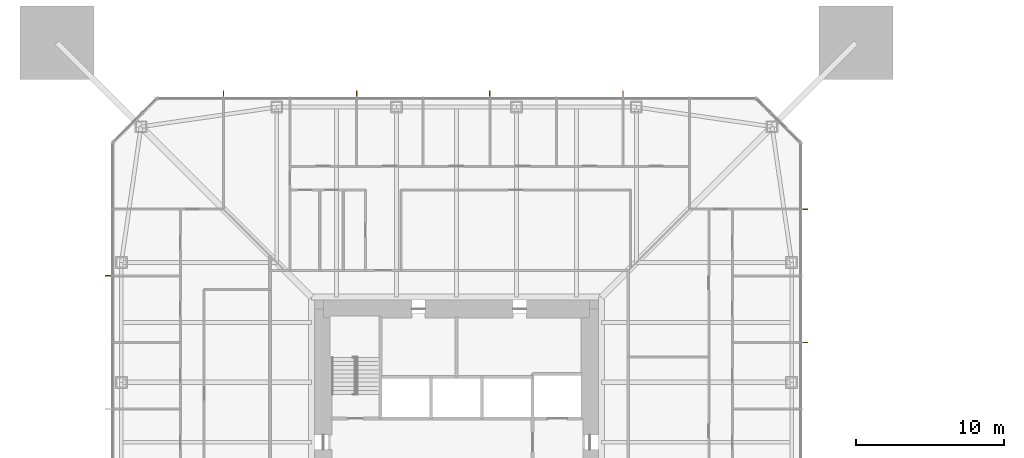
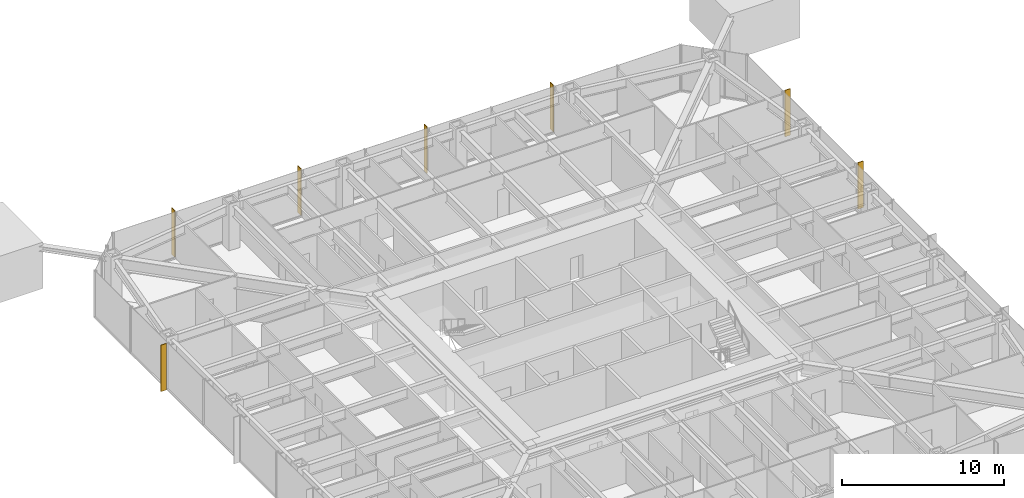
# One storey, part 25 of 26: 7 shading devices.
"""IFC4 building model written with IfcOpenShell, lengths in metres."""

from ifc_helpers import new_model, si_unit, direction, frame, origin, origin_2d, place, context, subcontext, project, spatial, rectangle, extrude, material, layer, layer_set, type_object, element, save


model = new_model("IFC4")

# Units and contexts
model_context = context("Model", 3, precision=1e-05, world=origin(), true_north=direction((0.0, 1.0)))
body_context = subcontext(model_context, "Body", "Model", "MODEL_VIEW")
ifc_project = project(units=[si_unit("LENGTHUNIT", "METRE"), si_unit("AREAUNIT", "SQUARE_METRE"), si_unit("VOLUMEUNIT", "CUBIC_METRE"), si_unit("PLANEANGLEUNIT", "RADIAN"), si_unit("MASSUNIT", "GRAM", prefix="KILO")], contexts=[model_context])

# Site, building, storey
site_placement = place(None, origin())
site = spatial("IfcSite", under=ifc_project, at=site_placement, CompositionType="ELEMENT")
building_placement = place(site_placement, origin())
building = spatial("IfcBuilding", under=site, at=building_placement, Name="Iwan Alto Co-Living Towers", CompositionType="ELEMENT")
storey_placement = place(building_placement, frame((0.0, 0.0, 50.0)))
storey = spatial("IfcBuildingStorey", under=building, at=storey_placement, Name="L13", CompositionType="ELEMENT", Elevation=50.0)

# Shading devices
ifc_material = material(Name="Aluminium 6063-T6 bronze anodised", Category="aluminium")
ifc_layer = layer(ifc_material, 0.050048828125)
ifc_layer_set = layer_set([ifc_layer], Name="BRONZE FIN 50X400")
shading_device_type = type_object("IfcShadingDeviceType", Name="BRONZE FIN 50X400", PredefinedType="USERDEFINED", material=ifc_layer_set)
for number, where, z_axis, x_axis, name in (
    (1, (23.550048828125, 6.75, 0.0), (0.0, 0.0, 1.0), (0.0, 1.0, 0.0), "Bronze fin L13"),
    (2, (23.550048828125, 15.75, 0.0), (0.0, 0.0, 1.0), (0.0, 1.0, 0.0), "Bronze fin L13"),
    (3, (11.25, 23.550048828125, 0.0), (0.0, 0.0, 1.0), (-1.0, 0.0, 0.0), "Bronze fin L13"),
    (4, (2.25, 23.550048828125, 0.0), (0.0, 0.0, 1.0), (-1.0, 0.0, 0.0), "Bronze fin L13"),
    (5, (-6.75, 23.550048828125, 0.0), (0.0, 0.0, 1.0), (-1.0, 0.0, 0.0), "Bronze fin L13"),
    (6, (-15.75, 23.550048828125, 0.0), (0.0, 0.0, 1.0), (-1.0, 0.0, 0.0), "Bronze fin L13"),
    (7, (-23.550048828125, 11.25, 0.0), (0.0, 0.0, 1.0), (0.0, -1.0, 0.0), "Bronze fin L13"),
):
    element("IfcShadingDevice", number, at=place(storey_placement, frame(where, z_axis=z_axis, x_axis=x_axis)), inside=storey, type_object=shading_device_type, Name=name, ObjectType="LOUVER", PredefinedType="USERDEFINED", context=body_context, shape_type="SweptSolid", body=[
        extrude(rectangle(XDim=0.050048828125, YDim=0.39990234375, at=origin_2d()), origin(), (0.0, 0.0, 1.0), 3.5),
    ])

save(model, "model.ifc")
